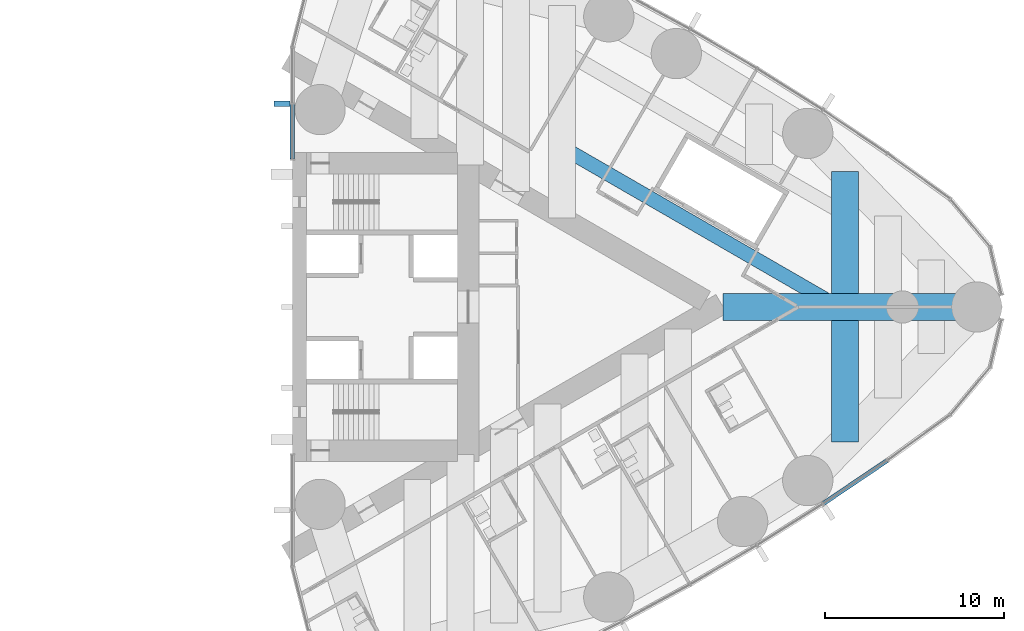
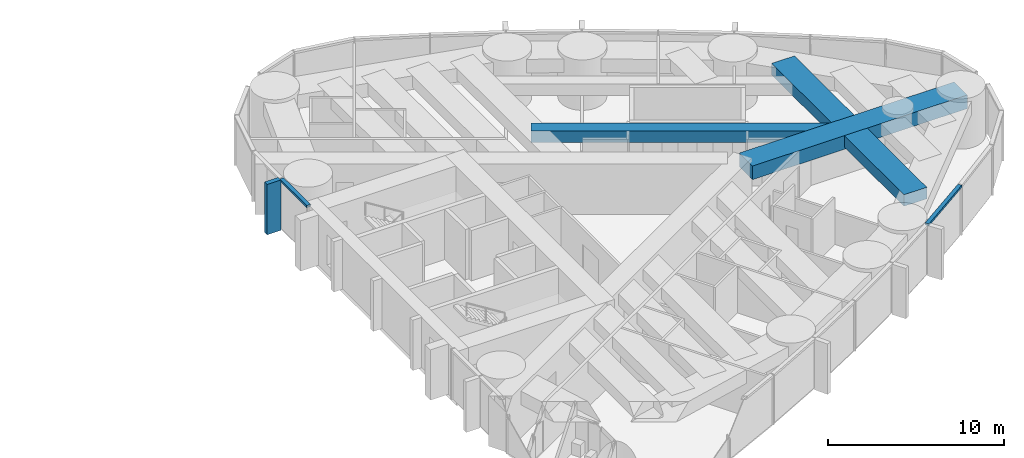
# One storey, part 7 of 19: 4 beams, 3 members, 2 elements without a shape of their own.
"""IFC4 building model written with IfcOpenShell, lengths in metres."""

from ifc_helpers import new_model, si_unit, direction, frame, origin, origin_2d, place, context, subcontext, project, spatial, rectangle, hollow_rectangle, extrude, material, material_profile, profile_set, type_object, element, aggregate, save


model = new_model("IFC4")

# Units and contexts
model_context = context("Model", 3, precision=1e-05, world=origin(), true_north=direction((0.0, 1.0)))
body_context = subcontext(model_context, "Body", "Model", "MODEL_VIEW")
ifc_project = project(units=[si_unit("LENGTHUNIT", "METRE"), si_unit("AREAUNIT", "SQUARE_METRE"), si_unit("VOLUMEUNIT", "CUBIC_METRE"), si_unit("PLANEANGLEUNIT", "RADIAN"), si_unit("MASSUNIT", "GRAM", prefix="KILO")], contexts=[model_context])

# Site, building, storey
site_placement = place(None, origin())
site = spatial("IfcSite", under=ifc_project, at=site_placement, CompositionType="ELEMENT")
building_placement = place(site_placement, origin())
building = spatial("IfcBuilding", under=site, at=building_placement, Name="Lancet Gate Hotel", CompositionType="ELEMENT")
storey_placement = place(building_placement, frame((0.0, 0.0, 191.300048828125)))
storey = spatial("IfcBuildingStorey", under=building, at=storey_placement, Name="L51", CompositionType="ELEMENT", Elevation=191.300048828125)

# Curtain wall, member
ifc_material_1 = material(Name="Aluminium curtain wall", Category="aluminium")
curtain_wall_type = type_object("IfcCurtainWallType", Name="Tower unitised curtain wall", PredefinedType="USERDEFINED", material=ifc_material_1)
curtain_wall_1_placement = place(storey_placement, origin())
curtain_wall_1 = element("IfcCurtainWall", 1, at=curtain_wall_1_placement, inside=storey, type_object=curtain_wall_type, Name="T2 L51 curtain wall 2", ObjectType="UNITISED CURTAIN WALL", PredefinedType="USERDEFINED")
ifc_material_2 = material(Name="Aluminium transom", Category="aluminium")
ifc_material_profile_1 = material_profile(ifc_material_2, rectangle(XDim=0.25, YDim=0.14990234375, at=origin_2d()), Name="TRANSOM 250x150")
ifc_profile_set_1 = profile_set([ifc_material_profile_1], Name="Aluminium transom")
member_type_1 = type_object("IfcMemberType", Name="Aluminium transom 250x150", PredefinedType="USERDEFINED", material=ifc_profile_set_1)
member_1_placement = place(storey_placement, frame((57.093994140625, -10.952880859375, 3.425048828125), z_axis=(0.829046850689, 0.559179147826, 0.0), x_axis=(-0.559179147826, 0.829046850689, 0.0)))
member_1 = element("IfcMember", 2, at=member_1_placement, type_object=member_type_1, Name="T2 L51 curtain wall 2 transom 8", ObjectType="TRANSOM", PredefinedType="USERDEFINED", context=body_context, shape_type="SweptSolid", body=[
    extrude(rectangle(XDim=0.25, YDim=0.14990234375, at=origin_2d()), origin(), (0.0, 0.0, 1.0), 4.26904296875),
])
aggregate(curtain_wall_1, [member_1])

# Curtain wall, members
curtain_wall_2_placement = place(storey_placement, origin())
curtain_wall_2 = element("IfcCurtainWall", 3, at=curtain_wall_2_placement, inside=storey, type_object=curtain_wall_type, Name="T2 L51 curtain wall 4", ObjectType="UNITISED CURTAIN WALL", PredefinedType="USERDEFINED")
member_2_placement = place(storey_placement, frame((27.5, 11.30029296875, 3.425048828125), z_axis=(0.0, -1.0, 0.0), x_axis=(1.0, 0.0, 0.0)))
member_2 = element("IfcMember", 4, at=member_2_placement, type_object=member_type_1, Name="T2 L51 curtain wall 4 transom 4", ObjectType="TRANSOM", PredefinedType="USERDEFINED", context=body_context, shape_type="SweptSolid", body=[
    extrude(rectangle(XDim=0.25, YDim=0.14990234375, at=origin_2d()), origin(), (0.0, 0.0, 1.0), 3.06787109375),
])
ifc_material_3 = material(Name="Precast concrete C50/60", Category="concrete")
ifc_material_profile_2 = material_profile(ifc_material_3, rectangle(XDim=0.300048828125, YDim=0.89990234375, at=origin_2d()), Name="FIN 300x900")
ifc_profile_set_2 = profile_set([ifc_material_profile_2], Name="Precast concrete C50/60")
member_type_2 = type_object("IfcMemberType", Name="Exposed concrete fin 300x900", PredefinedType="USERDEFINED", material=ifc_profile_set_2)
member_3_placement = place(storey_placement, frame((26.925048828125, 11.332763671875, 0.0), z_axis=(0.0, 0.0, 1.0), x_axis=(0.0, -1.0, 0.0)))
member_3 = element("IfcMember", 5, at=member_3_placement, type_object=member_type_2, Name="T2 L51 curtain wall 4 fin 4", ObjectType="FIN", PredefinedType="USERDEFINED", context=body_context, shape_type="SweptSolid", body=[
    extrude(rectangle(XDim=0.300048828125, YDim=0.89990234375, at=origin_2d()), origin(), (0.0, 0.0, 1.0), 3.5),
])
aggregate(curtain_wall_2, [member_3, member_2])

# Beams
ifc_material_4 = material(Name="Concrete C50/60", Category="concrete")
ifc_material_profile_3 = material_profile(ifc_material_4, rectangle(XDim=1.5, YDim=0.800048828125, at=origin_2d()), Name="RC 1500x800")
ifc_profile_set_3 = profile_set([ifc_material_profile_3], Name="Concrete C50/60")
beam_type_1 = type_object("IfcBeamType", Name="Floor beam RC 1500x800", PredefinedType="BEAM", material=ifc_profile_set_3)
for number, where, z_axis, x_axis, name in (
    (6, (58.30224609375, -7.534912109375, 2.849853515625), (0.0, 1.0, 0.0), (-1.0, 0.0, 0.0), "T2 floor beam F12S L51"),
    (7, (58.30224609375, 0.75, 2.849853515625), (0.0, 1.0, 0.0), (-1.0, 0.0, 0.0), "T2 floor beam F13N L51"),
):
    element("IfcBeam", number, at=place(storey_placement, frame(where, z_axis=z_axis, x_axis=x_axis)), inside=storey, type_object=beam_type_1, Name=name, PredefinedType="BEAM", context=body_context, shape_type="SweptSolid", body=[
        extrude(rectangle(XDim=1.5, YDim=0.800048828125, at=origin_2d()), origin(), (0.0, 0.0, 1.0), 6.784912109375),
    ])
ifc_material_5 = material(Name="Concrete C50/60", Category="concrete")
ifc_material_profile_4 = material_profile(ifc_material_5, rectangle(XDim=1.5, YDim=0.949951171875, at=origin_2d()), Name="RC 1500x950")
ifc_profile_set_4 = profile_set([ifc_material_profile_4], Name="Concrete C50/60")
beam_type_2 = type_object("IfcBeamType", Name="Radial floor beam RC 1500x950", PredefinedType="BEAM", material=ifc_profile_set_4)
beam_1_placement = place(storey_placement, frame((65.6396484375, 0.0, 2.77490234375), z_axis=(-1.0, 0.0, 0.0), x_axis=(0.0, -1.0, 0.0)))
element("IfcBeam", 8, at=beam_1_placement, inside=storey, type_object=beam_type_2, Name="T2 radial beam CA L51", PredefinedType="BEAM", context=body_context, shape_type="SweptSolid", body=[
    extrude(rectangle(XDim=1.5, YDim=0.949951171875, at=origin_2d()), origin(), (0.0, 0.0, 1.0), 14.137451171875),
])
ifc_material_6 = material(Name="Steel S460QL", Category="steel")
ifc_material_profile_5 = material_profile(ifc_material_6, hollow_rectangle(XDim=0.800048828125, YDim=0.800048828125, WallThickness=0.080078125, at=origin_2d()), Name="BOX 800x800x80")
ifc_profile_set_5 = profile_set([ifc_material_profile_5], Name="Steel S460QL")
beam_type_3 = type_object("IfcBeamType", Name="Trimmer beam BOX 800x800x80", PredefinedType="BEAM", material=ifc_profile_set_5)
beam_2_placement = place(storey_placement, frame((42.51904296875, 8.90185546875, 2.849853515625), z_axis=(0.865994419471, -0.500053662566, 0.0), x_axis=(0.500053662566, 0.865994419471, 0.0)))
element("IfcBeam", 9, at=beam_2_placement, inside=storey, type_object=beam_type_3, Name="T2 trimmer beam TR02N L51", PredefinedType="BEAM", context=body_context, shape_type="SweptSolid", body=[
    extrude(hollow_rectangle(XDim=0.800048828125, YDim=0.800048828125, WallThickness=0.080078125, at=origin_2d()), origin(), (0.0, 0.0, 1.0), 17.8017578125),
])

save(model, "model.ifc")
